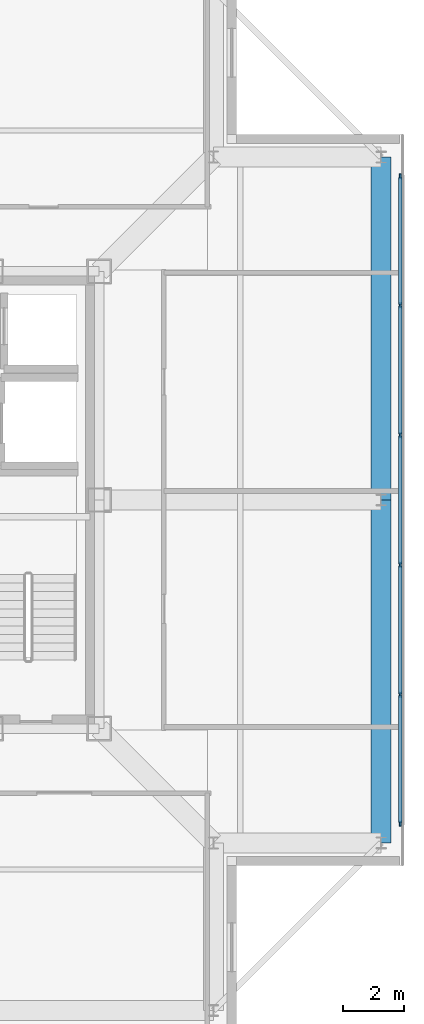
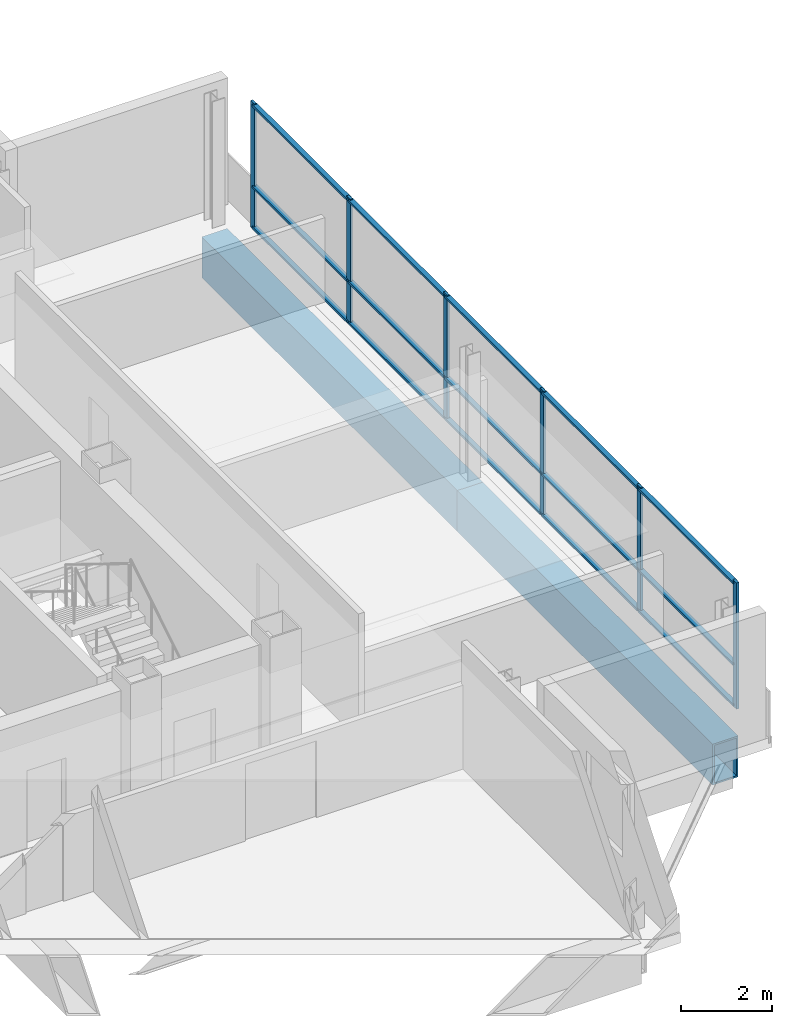
# One storey, part 6 of 12: 21 members, 2 beams, 1 element without a shape of its own.
"""IFC4 building model written with IfcOpenShell, lengths in metres."""

from ifc_helpers import new_model, si_unit, direction, frame, origin, origin_2d, place, context, subcontext, project, spatial, rectangle, hollow_rectangle, extrude, material, layer, layer_set, material_profile, profile_set, type_object, element, aggregate, save


model = new_model("IFC4")

# Units and contexts
model_context = context("Model", 3, precision=1e-05, world=origin(), true_north=direction((0.0, 1.0)))
body_context = subcontext(model_context, "Body", "Model", "MODEL_VIEW")
ifc_project = project(units=[si_unit("LENGTHUNIT", "METRE"), si_unit("AREAUNIT", "SQUARE_METRE"), si_unit("VOLUMEUNIT", "CUBIC_METRE"), si_unit("PLANEANGLEUNIT", "RADIAN"), si_unit("MASSUNIT", "GRAM", prefix="KILO")], contexts=[model_context])

# Site, building, storey
site_placement = place(None, origin())
site = spatial("IfcSite", under=ifc_project, at=site_placement, CompositionType="ELEMENT")
building_placement = place(site_placement, origin())
building = spatial("IfcBuilding", under=site, at=building_placement, Name="Trevonay Congress Spire", CompositionType="ELEMENT")
storey_placement = place(building_placement, frame((0.0, 0.0, 304.60009765625)))
storey = spatial("IfcBuildingStorey", under=building, at=storey_placement, Name="L80", CompositionType="ELEMENT", Elevation=304.60009765625)

# Beams
ifc_material_1 = material(Name="Steel ASTM A572 Grade 50", Category="steel")
ifc_material_profile_1 = material_profile(ifc_material_1, hollow_rectangle(XDim=0.64990234375, YDim=1.10009765625, WallThickness=0.044921875, at=origin_2d()), Name="BOX 1100x650x45")
ifc_profile_set_1 = profile_set([ifc_material_profile_1], Name="Steel ASTM A572 Grade 50")
beam_type = type_object("IfcBeamType", Name="BM-RING-BOX1100", PredefinedType="BEAM", material=ifc_profile_set_1)
for number, where, z_axis, x_axis, name in (
    (1, (16.75, -11.25, -0.830078125), (0.0, 1.0, 0.0), (-1.0, 0.0, 0.0), "L80 structural beam BM-L80-PE1"),
    (2, (16.75, 0.0, -0.830078125), (0.0, 1.0, 0.0), (-1.0, 0.0, 0.0), "L80 structural beam BM-L80-PE2"),
):
    element("IfcBeam", number, at=place(storey_placement, frame(where, z_axis=z_axis, x_axis=x_axis)), inside=storey, type_object=beam_type, Name=name, PredefinedType="BEAM", context=body_context, shape_type="SweptSolid", body=[
        extrude(hollow_rectangle(XDim=0.64990234375, YDim=1.10009765625, WallThickness=0.044921875, at=origin_2d()), origin(), (0.0, 0.0, 1.0), 11.25),
    ])

# Curtain wall, members
ifc_material_2 = material(Name="Pale Anodised Aluminium EN AW-6063-T6", Category="aluminium")
ifc_layer = layer(ifc_material_2, 0.159912109375, Name="Pale Anodised Aluminium EN AW-6063-T6")
ifc_layer_set = layer_set([ifc_layer], Name="Pale Anodised Aluminium EN AW-6063-T6")
curtain_wall_type = type_object("IfcCurtainWallType", Name="CW-SYS06-CROWN-PALE-METAL", PredefinedType="NOTDEFINED", material=ifc_layer_set)
curtain_wall_placement = place(storey_placement, origin())
curtain_wall = element("IfcCurtainWall", 3, at=curtain_wall_placement, inside=storey, type_object=curtain_wall_type, Name="L80 E unitised curtain wall", PredefinedType="NOTDEFINED")
ifc_material_profile_2 = material_profile(ifc_material_2, rectangle(XDim=0.06005859375, YDim=0.159912109375, at=origin_2d()), Name="CW-MULLION-160-ALUMINIUM")
ifc_profile_set_2 = profile_set([ifc_material_profile_2], Name="Pale Anodised Aluminium EN AW-6063-T6")
member_type_1 = type_object("IfcMemberType", Name="CW-MULLION-160-ALUMINIUM", PredefinedType="MULLION", material=ifc_profile_set_2)
member_1_placement = place(storey_placement, frame((17.3798828125, -10.6201171875, 0.0), z_axis=(0.0, 0.0, 1.0), x_axis=(-1.0, 0.0, 0.0)))
member_1 = element("IfcMember", 4, at=member_1_placement, type_object=member_type_1, Name="CW06 mullion 1", PredefinedType="MULLION", context=body_context, shape_type="SweptSolid", body=[
    extrude(rectangle(XDim=0.06005859375, YDim=0.159912109375, at=origin_2d()), origin(), (0.0, 0.0, 1.0), 3.39990234375),
])
member_2_placement = place(storey_placement, frame((17.3798828125, -6.389892578125, 0.0), z_axis=(0.0, 0.0, 1.0), x_axis=(-1.0, 0.0, 0.0)))
member_2 = element("IfcMember", 5, at=member_2_placement, type_object=member_type_1, Name="CW06 mullion 2", PredefinedType="MULLION", context=body_context, shape_type="SweptSolid", body=[
    extrude(rectangle(XDim=0.06005859375, YDim=0.159912109375, at=origin_2d()), origin(), (0.0, 0.0, 1.0), 3.39990234375),
])
member_3_placement = place(storey_placement, frame((17.3798828125, -2.1298828125, 0.0), z_axis=(0.0, 0.0, 1.0), x_axis=(-1.0, 0.0, 0.0)))
member_3 = element("IfcMember", 6, at=member_3_placement, type_object=member_type_1, Name="CW06 mullion 3", PredefinedType="MULLION", context=body_context, shape_type="SweptSolid", body=[
    extrude(rectangle(XDim=0.06005859375, YDim=0.159912109375, at=origin_2d()), origin(), (0.0, 0.0, 1.0), 3.39990234375),
])
member_4_placement = place(storey_placement, frame((17.3798828125, 2.1298828125, 0.0), z_axis=(0.0, 0.0, 1.0), x_axis=(-1.0, 0.0, 0.0)))
member_4 = element("IfcMember", 7, at=member_4_placement, type_object=member_type_1, Name="CW06 mullion 4", PredefinedType="MULLION", context=body_context, shape_type="SweptSolid", body=[
    extrude(rectangle(XDim=0.06005859375, YDim=0.159912109375, at=origin_2d()), origin(), (0.0, 0.0, 1.0), 3.39990234375),
])
member_5_placement = place(storey_placement, frame((17.3798828125, 6.389892578125, 0.0), z_axis=(0.0, 0.0, 1.0), x_axis=(-1.0, 0.0, 0.0)))
member_5 = element("IfcMember", 8, at=member_5_placement, type_object=member_type_1, Name="CW06 mullion 5", PredefinedType="MULLION", context=body_context, shape_type="SweptSolid", body=[
    extrude(rectangle(XDim=0.06005859375, YDim=0.159912109375, at=origin_2d()), origin(), (0.0, 0.0, 1.0), 3.39990234375),
])
member_6_placement = place(storey_placement, frame((17.3798828125, 10.6201171875, 0.0), z_axis=(0.0, 0.0, 1.0), x_axis=(-1.0, 0.0, 0.0)))
member_6 = element("IfcMember", 9, at=member_6_placement, type_object=member_type_1, Name="CW06 mullion 6", PredefinedType="MULLION", context=body_context, shape_type="SweptSolid", body=[
    extrude(rectangle(XDim=0.06005859375, YDim=0.159912109375, at=origin_2d()), origin(), (0.0, 0.0, 1.0), 3.39990234375),
])
ifc_material_profile_3 = material_profile(ifc_material_2, rectangle(XDim=0.1201171875, YDim=0.06005859375, at=origin_2d()), Name="CW-TRANSOM-120-ALUMINIUM")
ifc_profile_set_3 = profile_set([ifc_material_profile_3], Name="Pale Anodised Aluminium EN AW-6063-T6")
member_type_2 = type_object("IfcMemberType", Name="CW-TRANSOM-120-ALUMINIUM", PredefinedType="USERDEFINED", material=ifc_profile_set_3)
member_7_placement = place(storey_placement, frame((17.3798828125, -10.590087890625, 0.059814453125), z_axis=(0.0, 1.0, 0.0), x_axis=(-1.0, 0.0, 0.0)))
member_7 = element("IfcMember", 10, at=member_7_placement, type_object=member_type_2, Name="CW06 transom 1.1", ObjectType="TRANSOM", PredefinedType="USERDEFINED", context=body_context, shape_type="SweptSolid", body=[
    extrude(rectangle(XDim=0.1201171875, YDim=0.06005859375, at=origin_2d()), origin(), (0.0, 0.0, 1.0), 4.170166015625),
])
member_8_placement = place(storey_placement, frame((17.3798828125, -10.590087890625, 1.156005859375), z_axis=(0.0, 1.0, 0.0), x_axis=(-1.0, 0.0, 0.0)))
member_8 = element("IfcMember", 11, at=member_8_placement, type_object=member_type_2, Name="CW06 transom 1.2", ObjectType="TRANSOM", PredefinedType="USERDEFINED", context=body_context, shape_type="SweptSolid", body=[
    extrude(rectangle(XDim=0.1201171875, YDim=0.06005859375, at=origin_2d()), origin(), (0.0, 0.0, 1.0), 4.170166015625),
])
member_9_placement = place(storey_placement, frame((17.3798828125, -10.590087890625, 3.33984375), z_axis=(0.0, 1.0, 0.0), x_axis=(-1.0, 0.0, 0.0)))
member_9 = element("IfcMember", 12, at=member_9_placement, type_object=member_type_2, Name="CW06 transom 1.3", ObjectType="TRANSOM", PredefinedType="USERDEFINED", context=body_context, shape_type="SweptSolid", body=[
    extrude(rectangle(XDim=0.1201171875, YDim=0.06005859375, at=origin_2d()), origin(), (0.0, 0.0, 1.0), 4.170166015625),
])
member_10_placement = place(storey_placement, frame((17.3798828125, -6.360107421875, 0.059814453125), z_axis=(0.0, 1.0, 0.0), x_axis=(-1.0, 0.0, 0.0)))
member_10 = element("IfcMember", 13, at=member_10_placement, type_object=member_type_2, Name="CW06 transom 2.1", ObjectType="TRANSOM", PredefinedType="USERDEFINED", context=body_context, shape_type="SweptSolid", body=[
    extrude(rectangle(XDim=0.1201171875, YDim=0.06005859375, at=origin_2d()), origin(), (0.0, 0.0, 1.0), 4.2001953125),
])
member_11_placement = place(storey_placement, frame((17.3798828125, -6.360107421875, 1.156005859375), z_axis=(0.0, 1.0, 0.0), x_axis=(-1.0, 0.0, 0.0)))
member_11 = element("IfcMember", 14, at=member_11_placement, type_object=member_type_2, Name="CW06 transom 2.2", ObjectType="TRANSOM", PredefinedType="USERDEFINED", context=body_context, shape_type="SweptSolid", body=[
    extrude(rectangle(XDim=0.1201171875, YDim=0.06005859375, at=origin_2d()), origin(), (0.0, 0.0, 1.0), 4.2001953125),
])
member_12_placement = place(storey_placement, frame((17.3798828125, -6.360107421875, 3.33984375), z_axis=(0.0, 1.0, 0.0), x_axis=(-1.0, 0.0, 0.0)))
member_12 = element("IfcMember", 15, at=member_12_placement, type_object=member_type_2, Name="CW06 transom 2.3", ObjectType="TRANSOM", PredefinedType="USERDEFINED", context=body_context, shape_type="SweptSolid", body=[
    extrude(rectangle(XDim=0.1201171875, YDim=0.06005859375, at=origin_2d()), origin(), (0.0, 0.0, 1.0), 4.2001953125),
])
member_13_placement = place(storey_placement, frame((17.3798828125, -2.10009765625, 0.059814453125), z_axis=(0.0, 1.0, 0.0), x_axis=(-1.0, 0.0, 0.0)))
member_13 = element("IfcMember", 16, at=member_13_placement, type_object=member_type_2, Name="CW06 transom 3.1", ObjectType="TRANSOM", PredefinedType="USERDEFINED", context=body_context, shape_type="SweptSolid", body=[
    extrude(rectangle(XDim=0.1201171875, YDim=0.06005859375, at=origin_2d()), origin(), (0.0, 0.0, 1.0), 4.2001953125),
])
member_14_placement = place(storey_placement, frame((17.3798828125, -2.10009765625, 1.156005859375), z_axis=(0.0, 1.0, 0.0), x_axis=(-1.0, 0.0, 0.0)))
member_14 = element("IfcMember", 17, at=member_14_placement, type_object=member_type_2, Name="CW06 transom 3.2", ObjectType="TRANSOM", PredefinedType="USERDEFINED", context=body_context, shape_type="SweptSolid", body=[
    extrude(rectangle(XDim=0.1201171875, YDim=0.06005859375, at=origin_2d()), origin(), (0.0, 0.0, 1.0), 4.2001953125),
])
member_15_placement = place(storey_placement, frame((17.3798828125, -2.10009765625, 3.33984375), z_axis=(0.0, 1.0, 0.0), x_axis=(-1.0, 0.0, 0.0)))
member_15 = element("IfcMember", 18, at=member_15_placement, type_object=member_type_2, Name="CW06 transom 3.3", ObjectType="TRANSOM", PredefinedType="USERDEFINED", context=body_context, shape_type="SweptSolid", body=[
    extrude(rectangle(XDim=0.1201171875, YDim=0.06005859375, at=origin_2d()), origin(), (0.0, 0.0, 1.0), 4.2001953125),
])
member_16_placement = place(storey_placement, frame((17.3798828125, 2.159912109375, 0.059814453125), z_axis=(0.0, 1.0, 0.0), x_axis=(-1.0, 0.0, 0.0)))
member_16 = element("IfcMember", 19, at=member_16_placement, type_object=member_type_2, Name="CW06 transom 4.1", ObjectType="TRANSOM", PredefinedType="USERDEFINED", context=body_context, shape_type="SweptSolid", body=[
    extrude(rectangle(XDim=0.1201171875, YDim=0.06005859375, at=origin_2d()), origin(), (0.0, 0.0, 1.0), 4.2001953125),
])
member_17_placement = place(storey_placement, frame((17.3798828125, 2.159912109375, 1.156005859375), z_axis=(0.0, 1.0, 0.0), x_axis=(-1.0, 0.0, 0.0)))
member_17 = element("IfcMember", 20, at=member_17_placement, type_object=member_type_2, Name="CW06 transom 4.2", ObjectType="TRANSOM", PredefinedType="USERDEFINED", context=body_context, shape_type="SweptSolid", body=[
    extrude(rectangle(XDim=0.1201171875, YDim=0.06005859375, at=origin_2d()), origin(), (0.0, 0.0, 1.0), 4.2001953125),
])
member_18_placement = place(storey_placement, frame((17.3798828125, 2.159912109375, 3.33984375), z_axis=(0.0, 1.0, 0.0), x_axis=(-1.0, 0.0, 0.0)))
member_18 = element("IfcMember", 21, at=member_18_placement, type_object=member_type_2, Name="CW06 transom 4.3", ObjectType="TRANSOM", PredefinedType="USERDEFINED", context=body_context, shape_type="SweptSolid", body=[
    extrude(rectangle(XDim=0.1201171875, YDim=0.06005859375, at=origin_2d()), origin(), (0.0, 0.0, 1.0), 4.2001953125),
])
member_19_placement = place(storey_placement, frame((17.3798828125, 6.419921875, 0.059814453125), z_axis=(0.0, 1.0, 0.0), x_axis=(-1.0, 0.0, 0.0)))
member_19 = element("IfcMember", 22, at=member_19_placement, type_object=member_type_2, Name="CW06 transom 5.1", ObjectType="TRANSOM", PredefinedType="USERDEFINED", context=body_context, shape_type="SweptSolid", body=[
    extrude(rectangle(XDim=0.1201171875, YDim=0.06005859375, at=origin_2d()), origin(), (0.0, 0.0, 1.0), 4.170166015625),
])
member_20_placement = place(storey_placement, frame((17.3798828125, 6.419921875, 1.156005859375), z_axis=(0.0, 1.0, 0.0), x_axis=(-1.0, 0.0, 0.0)))
member_20 = element("IfcMember", 23, at=member_20_placement, type_object=member_type_2, Name="CW06 transom 5.2", ObjectType="TRANSOM", PredefinedType="USERDEFINED", context=body_context, shape_type="SweptSolid", body=[
    extrude(rectangle(XDim=0.1201171875, YDim=0.06005859375, at=origin_2d()), origin(), (0.0, 0.0, 1.0), 4.170166015625),
])
member_21_placement = place(storey_placement, frame((17.3798828125, 6.419921875, 3.33984375), z_axis=(0.0, 1.0, 0.0), x_axis=(-1.0, 0.0, 0.0)))
member_21 = element("IfcMember", 24, at=member_21_placement, type_object=member_type_2, Name="CW06 transom 5.3", ObjectType="TRANSOM", PredefinedType="USERDEFINED", context=body_context, shape_type="SweptSolid", body=[
    extrude(rectangle(XDim=0.1201171875, YDim=0.06005859375, at=origin_2d()), origin(), (0.0, 0.0, 1.0), 4.170166015625),
])
aggregate(curtain_wall, [member_1, member_2, member_3, member_4, member_5, member_6, member_7, member_8, member_9, member_10, member_11, member_12, member_13, member_14, member_15, member_16, member_17, member_18, member_19, member_20, member_21])

save(model, "model.ifc")
